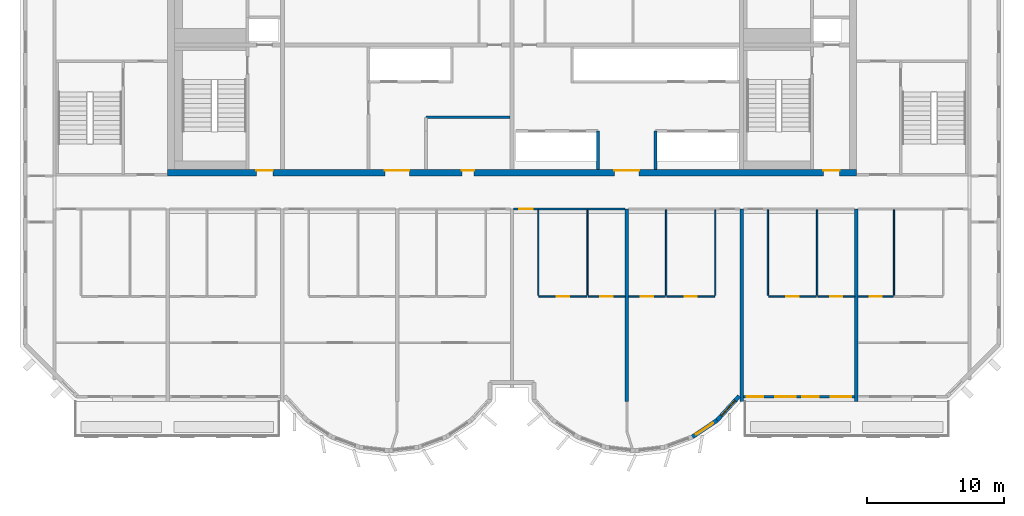
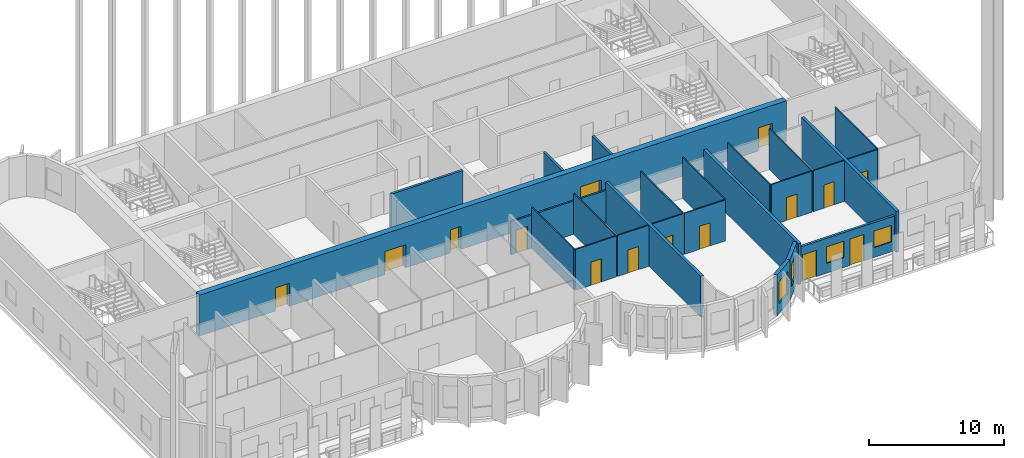
# One storey, part 5 of 13: 25 walls, 15 doors, 4 windows, 19 openings.
"""IFC4 building model written with IfcOpenShell, lengths in metres."""

from ifc_helpers import new_model, si_unit, direction, frame, frame_2d, origin, place, context, subcontext, project, spatial, rectangle, extrude, source, transform, mapped, material, layer, layer_set, type_object, element, fill, save


model = new_model("IFC4")

# Units and contexts
model_context = context("Model", 3, precision=1e-05, world=origin(), true_north=direction((0.0, 1.0)))
body_context = subcontext(model_context, "Body", "Model", "MODEL_VIEW")
ifc_project = project(units=[si_unit("LENGTHUNIT", "METRE"), si_unit("AREAUNIT", "SQUARE_METRE"), si_unit("VOLUMEUNIT", "CUBIC_METRE"), si_unit("PLANEANGLEUNIT", "RADIAN"), si_unit("MASSUNIT", "GRAM", prefix="KILO")], contexts=[model_context])

# Site, building, storey
site_placement = place(None, origin())
site = spatial("IfcSite", under=ifc_project, at=site_placement, CompositionType="ELEMENT")
building_placement = place(site_placement, origin())
building = spatial("IfcBuilding", under=site, at=building_placement, Name="Vanashikhar Sky Hotel", CompositionType="ELEMENT")
storey_placement = place(building_placement, frame((0.0, 0.0, 277.699951171875)))
storey = spatial("IfcBuildingStorey", under=building, at=storey_placement, Name="L66", CompositionType="ELEMENT", Elevation=277.699951171875)

# Wall, openings, doors
ifc_material_1 = material(Name="Concrete M50", Category="concrete")
ifc_layer_1 = layer(ifc_material_1, 0.5)
ifc_layer_set_1 = layer_set([ifc_layer_1], Name="RC core shell wall 500 Concrete M50")
wall_type_1 = type_object("IfcWallType", Name="RC core shell wall 500 Concrete M50", PredefinedType="SHEAR", material=ifc_layer_set_1)
shared_shape_1 = source(origin(), body_context, "Body", "SweptSolid", [
    extrude(rectangle(XDim=50.400146484375, YDim=0.5, at=frame_2d((25.2001953125, 0.0))), origin(), (0.0, 0.0, 1.0), 3.719970703125),
])
wall_1_placement = place(storey_placement, frame((25.199951171875, 22.25, 0.0), z_axis=(0.0, 0.0, 1.0), x_axis=(1.0, 0.0, 0.0)))
wall_1 = element("IfcWall", 1, at=wall_1_placement, inside=storey, type_object=wall_type_1, Name="KW-L66-KS", PredefinedType="SHEAR", context=body_context, shape_type="MappedRepresentation", body=[
    mapped(shared_shape_1, transform((0.0, 0.0, 0.0), scale=1.0)),
])
shared_shape_2 = source(origin(), body_context, "Body", "SweptSolid", [
    extrude(rectangle(XDim=1.800048828125, YDim=2.10009765625, at=frame_2d((0.89990234375, 1.050048828125))), frame((0.0, 0.260009765625, 0.0), z_axis=(0.0, -1.0, 0.0), x_axis=(1.0, 0.0, 0.0)), (0.0, 0.0, 1.0), 0.52001953125),
])
opening_1_placement = place(wall_1_placement, frame((15.89990234375, 0.0, 0.0)))
opening_1 = element("IfcOpeningElement", 2, at=opening_1_placement, cuts=wall_1, Name="Opening DC-3-A", PredefinedType="OPENING", context=body_context, shape_type="MappedRepresentation", body=[
    mapped(shared_shape_2, transform((0.0, 0.0, 0.0), scale=1.0)),
])
shared_shape_3 = source(origin(), body_context, "Body", "SweptSolid", [
    extrude(rectangle(XDim=0.89990234375, YDim=2.10009765625, at=frame_2d((0.449951171875, 1.050048828125))), frame((0.0, 0.260009765625, 0.0), z_axis=(0.0, -1.0, 0.0), x_axis=(1.0, 0.0, 0.0)), (0.0, 0.0, 1.0), 0.52001953125),
])
opening_2_placement = place(wall_1_placement, frame((21.52490234375, 0.0, 0.0)))
opening_2 = element("IfcOpeningElement", 3, at=opening_2_placement, cuts=wall_1, Name="Opening DC-4-A", PredefinedType="OPENING", context=body_context, shape_type="MappedRepresentation", body=[
    mapped(shared_shape_3, transform((0.0, 0.0, 0.0), scale=1.0)),
])
opening_3_placement = place(wall_1_placement, frame((32.699951171875, 0.0, 0.0)))
opening_3 = element("IfcOpeningElement", 4, at=opening_3_placement, cuts=wall_1, Name="Opening DC-3-A", PredefinedType="OPENING", context=body_context, shape_type="MappedRepresentation", body=[
    mapped(shared_shape_2, transform((0.0, 0.0, 0.0), scale=1.0)),
])
shared_shape_4 = source(origin(), body_context, "Body", "SweptSolid", [
    extrude(rectangle(XDim=1.199951171875, YDim=2.10009765625, at=frame_2d((0.60009765625, 1.050048828125))), frame((0.0, 0.260009765625, 0.0), z_axis=(0.0, -1.0, 0.0), x_axis=(1.0, 0.0, 0.0)), (0.0, 0.0, 1.0), 0.52001953125),
])
opening_4_placement = place(wall_1_placement, frame((6.5, 0.0, 0.0)))
opening_4 = element("IfcOpeningElement", 5, at=opening_4_placement, cuts=wall_1, Name="Opening DC-2", PredefinedType="OPENING", context=body_context, shape_type="MappedRepresentation", body=[
    mapped(shared_shape_4, transform((0.0, 0.0, 0.0), scale=1.0)),
])
opening_5_placement = place(wall_1_placement, frame((47.97509765625, 0.0, 0.0)))
opening_5 = element("IfcOpeningElement", 6, at=opening_5_placement, cuts=wall_1, Name="Opening DC-2", PredefinedType="OPENING", context=body_context, shape_type="MappedRepresentation", body=[
    mapped(shared_shape_4, transform((0.0, 0.0, 0.0), scale=1.0)),
])
ifc_material_2 = material(Name="Steel", Category="steel")
door_type_1 = type_object("IfcDoorType", Name="Firefighting lobby door 1200 FD120", OperationType="NOTDEFINED", PredefinedType="DOOR", material=ifc_material_2)
shared_shape_5 = source(origin(), body_context, "Body", "SweptSolid", [
    extrude(rectangle(XDim=1.199951171875, YDim=2.10009765625, at=frame_2d((0.60009765625, 1.050048828125))), frame((0.0, 0.1748046875, 0.0), z_axis=(0.0, -1.0, 0.0), x_axis=(1.0, 0.0, 0.0)), (0.0, 0.0, 1.0), 0.050048828125),
])
door_1_placement = place(opening_4_placement, origin())
door_1 = element("IfcDoor", 7, at=door_1_placement, inside=storey, type_object=door_type_1, Name="Firefighting lobby door 1200 FD120", OperationType="SINGLE_SWING_RIGHT", OverallHeight=2.10009765625, OverallWidth=1.199951171875, PredefinedType="DOOR", context=body_context, shape_type="MappedRepresentation", body=[
    mapped(shared_shape_5, transform((0.0, 0.0, 0.0), scale=1.0)),
])
fill(opening_4, door_1)
door_2_placement = place(opening_5_placement, origin())
door_2 = element("IfcDoor", 8, at=door_2_placement, inside=storey, type_object=door_type_1, Name="Firefighting lobby door 1200 FD120", OperationType="SINGLE_SWING_LEFT", OverallHeight=2.10009765625, OverallWidth=1.199951171875, PredefinedType="DOOR", context=body_context, shape_type="MappedRepresentation", body=[
    mapped(shared_shape_5, transform((0.0, 0.0, 0.0), scale=1.0)),
])
fill(opening_5, door_2)
door_type_2 = type_object("IfcDoorType", Name="Service door 900 FD60", OperationType="NOTDEFINED", PredefinedType="DOOR", material=ifc_material_2)
shared_shape_6 = source(origin(), body_context, "Body", "SweptSolid", [
    extrude(rectangle(XDim=0.89990234375, YDim=2.10009765625, at=frame_2d((0.449951171875, 1.050048828125))), frame((0.0, 0.1748046875, 0.0), z_axis=(0.0, -1.0, 0.0), x_axis=(1.0, 0.0, 0.0)), (0.0, 0.0, 1.0), 0.050048828125),
])
door_3_placement = place(opening_2_placement, origin())
door_3 = element("IfcDoor", 9, at=door_3_placement, inside=storey, type_object=door_type_2, Name="Service door 900 FD60", OperationType="SINGLE_SWING_RIGHT", OverallHeight=2.10009765625, OverallWidth=0.89990234375, PredefinedType="DOOR", context=body_context, shape_type="MappedRepresentation", body=[
    mapped(shared_shape_6, transform((0.0, 0.0, 0.0), scale=1.0)),
])
fill(opening_2, door_3)
ifc_material_3 = material(Name="Glass", Category="glass")
door_type_3 = type_object("IfcDoorType", Name="Lift lobby entrance door 1800 FD30S", OperationType="NOTDEFINED", PredefinedType="DOOR", material=ifc_material_3)
shared_shape_7 = source(origin(), body_context, "Body", "SweptSolid", [
    extrude(rectangle(XDim=1.800048828125, YDim=2.10009765625, at=frame_2d((0.89990234375, 1.050048828125))), frame((0.0, 0.1748046875, 0.0), z_axis=(0.0, -1.0, 0.0), x_axis=(1.0, 0.0, 0.0)), (0.0, 0.0, 1.0), 0.050048828125),
])
door_4_placement = place(opening_1_placement, origin())
door_4 = element("IfcDoor", 10, at=door_4_placement, inside=storey, type_object=door_type_3, Name="Lift lobby entrance door 1800 FD30S", OperationType="DOUBLE_DOOR_SINGLE_SWING", OverallHeight=2.10009765625, OverallWidth=1.800048828125, PredefinedType="DOOR", context=body_context, shape_type="MappedRepresentation", body=[
    mapped(shared_shape_7, transform((0.0, 0.0, 0.0), scale=1.0)),
])
fill(opening_1, door_4)
door_5_placement = place(opening_3_placement, origin())
door_5 = element("IfcDoor", 11, at=door_5_placement, inside=storey, type_object=door_type_3, Name="Lift lobby entrance door 1800 FD30S", OperationType="DOUBLE_DOOR_SINGLE_SWING", OverallHeight=2.10009765625, OverallWidth=1.800048828125, PredefinedType="DOOR", context=body_context, shape_type="MappedRepresentation", body=[
    mapped(shared_shape_7, transform((0.0, 0.0, 0.0), scale=1.0)),
])
fill(opening_3, door_5)

# Walls
ifc_layer_2 = layer(ifc_material_1, 0.25)
ifc_layer_set_2 = layer_set([ifc_layer_2], Name="RC shear wall 250 Concrete M50")
wall_type_2 = type_object("IfcWallType", Name="RC shear wall 250 Concrete M50", PredefinedType="SHEAR", material=ifc_layer_set_2)
shared_shape_8 = source(origin(), body_context, "Body", "SweptSolid", [
    extrude(rectangle(XDim=14.10009765625, YDim=0.25, at=frame_2d((7.050048828125, 0.0))), origin(), (0.0, 0.0, 1.0), 3.719970703125),
])
for number, where, z_axis, x_axis, name in (
    (12, (58.800048828125, 5.5, 0.0), (0.0, 0.0, 1.0), (0.0, 1.0, 0.0), "CW-L66-XW08-1"),
    (13, (67.199951171875, 5.5, 0.0), (0.0, 0.0, 1.0), (0.0, 1.0, 0.0), "CW-L66-XW09-1"),
    (14, (75.60009765625, 5.5, 0.0), (0.0, 0.0, 1.0), (0.0, 1.0, 0.0), "CW-L66-XW10-1"),
):
    element("IfcWall", number, at=place(storey_placement, frame(where, z_axis=z_axis, x_axis=x_axis)), inside=storey, type_object=wall_type_2, Name=name, PredefinedType="SHEAR", context=body_context, shape_type="MappedRepresentation", body=[
        mapped(shared_shape_8, transform((0.0, 0.0, 0.0), scale=1.0)),
    ])

# Wall, openings, windows, doors
ifc_layer_3 = layer(ifc_material_1, 0.199951171875)
ifc_layer_set_3 = layer_set([ifc_layer_3], Name="Front window wall 200")
wall_type_3 = type_object("IfcWallType", Name="Front window wall 200", PredefinedType="SOLIDWALL", material=ifc_layer_set_3)
shared_shape_9 = source(origin(), body_context, "Body", "SweptSolid", [
    extrude(rectangle(XDim=8.150146484375, YDim=0.199951171875, at=frame_2d((4.0751953125, 0.0))), origin(), (0.0, 0.0, 1.0), 3.170166015625),
])
wall_2_placement = place(storey_placement, frame((67.324951171875, 5.85009765625, 0.0), z_axis=(0.0, 0.0, 1.0), x_axis=(1.0, 0.0, 0.0)))
wall_2 = element("IfcWall", 15, at=wall_2_placement, inside=storey, type_object=wall_type_3, Name="Front window wall", PredefinedType="SOLIDWALL", context=body_context, shape_type="MappedRepresentation", body=[
    mapped(shared_shape_9, transform((0.0, 0.0, 0.0), scale=1.0)),
])
shared_shape_10 = source(origin(), body_context, "Body", "SweptSolid", [
    extrude(rectangle(XDim=1.199951171875, YDim=2.39990234375, at=frame_2d((0.60009765625, 1.199951171875))), frame((0.0, 0.10986328125, 0.0), z_axis=(0.0, -1.0, 0.0), x_axis=(1.0, 0.0, 0.0)), (0.0, 0.0, 1.0), 0.219970703125),
])
opening_6_placement = place(wall_2_placement, frame((0.25, 0.0, 0.0)))
opening_6 = element("IfcOpeningElement", 16, at=opening_6_placement, cuts=wall_2, Name="Opening BD-03", PredefinedType="OPENING", context=body_context, shape_type="MappedRepresentation", body=[
    mapped(shared_shape_10, transform((0.0, 0.0, 0.0), scale=1.0)),
])
shared_shape_11 = source(origin(), body_context, "Body", "SweptSolid", [
    extrude(rectangle(XDim=1.5, YDim=1.5, at=frame_2d((0.75, 0.75))), frame((0.0, 0.10986328125, 0.0), z_axis=(0.0, -1.0, 0.0), x_axis=(1.0, 0.0, 0.0)), (0.0, 0.0, 1.0), 0.219970703125),
])
opening_7_placement = place(wall_2_placement, frame((2.324951171875, 0.0, 0.89990234375)))
opening_7 = element("IfcOpeningElement", 17, at=opening_7_placement, cuts=wall_2, Name="Opening WN-1", PredefinedType="OPENING", context=body_context, shape_type="MappedRepresentation", body=[
    mapped(shared_shape_11, transform((0.0, 0.0, 0.0), scale=1.0)),
])
opening_8_placement = place(wall_2_placement, frame((4.324951171875, 0.0, 0.0)))
opening_8 = element("IfcOpeningElement", 18, at=opening_8_placement, cuts=wall_2, Name="Opening BD-04", PredefinedType="OPENING", context=body_context, shape_type="MappedRepresentation", body=[
    mapped(shared_shape_10, transform((0.0, 0.0, 0.0), scale=1.0)),
])
opening_9_placement = place(wall_2_placement, frame((6.39990234375, 0.0, 0.89990234375)))
opening_9 = element("IfcOpeningElement", 19, at=opening_9_placement, cuts=wall_2, Name="Opening WN-1", PredefinedType="OPENING", context=body_context, shape_type="MappedRepresentation", body=[
    mapped(shared_shape_11, transform((0.0, 0.0, 0.0), scale=1.0)),
])
window_type_1 = type_object("IfcWindowType", Name="Window 1500 x 1500", PartitioningType="SINGLE_PANEL", PredefinedType="WINDOW", material=ifc_material_3)
shared_shape_12 = source(origin(), body_context, "Body", "SweptSolid", [
    extrude(rectangle(XDim=1.5, YDim=1.5, at=frame_2d((0.75, 0.75))), frame((0.0, 0.030029296875, 0.0), z_axis=(0.0, -1.0, 0.0), x_axis=(1.0, 0.0, 0.0)), (0.0, 0.0, 1.0), 0.06005859375),
])
window_1_placement = place(opening_7_placement, origin())
window_1 = element("IfcWindow", 20, at=window_1_placement, inside=storey, type_object=window_type_1, Name="Window WN-1", OverallHeight=1.5, OverallWidth=1.5, PartitioningType="SINGLE_PANEL", PredefinedType="WINDOW", context=body_context, shape_type="MappedRepresentation", body=[
    mapped(shared_shape_12, transform((0.0, 0.0, 0.0), scale=1.0)),
])
fill(opening_7, window_1)
window_2_placement = place(opening_9_placement, origin())
window_2 = element("IfcWindow", 21, at=window_2_placement, inside=storey, type_object=window_type_1, Name="Window WN-1", OverallHeight=1.5, OverallWidth=1.5, PartitioningType="SINGLE_PANEL", PredefinedType="WINDOW", context=body_context, shape_type="MappedRepresentation", body=[
    mapped(shared_shape_12, transform((0.0, 0.0, 0.0), scale=1.0)),
])
fill(opening_9, window_2)
ifc_material_4 = material(Name="Aluminium", Category="aluminium")
door_type_4 = type_object("IfcDoorType", Name="Balcony sliding door 1200 x 2400", OperationType="NOTDEFINED", PredefinedType="DOOR", material=ifc_material_4)
shared_shape_13 = source(origin(), body_context, "Body", "SweptSolid", [
    extrude(rectangle(XDim=1.199951171875, YDim=2.39990234375, at=frame_2d((0.60009765625, 1.199951171875))), frame((0.0, 0.02490234375, 0.0), z_axis=(0.0, -1.0, 0.0), x_axis=(1.0, 0.0, 0.0)), (0.0, 0.0, 1.0), 0.050048828125),
])
door_6_placement = place(opening_6_placement, origin())
door_6 = element("IfcDoor", 22, at=door_6_placement, inside=storey, type_object=door_type_4, Name="Balcony sliding door", OperationType="SLIDING_TO_LEFT", OverallHeight=2.39990234375, OverallWidth=1.199951171875, PredefinedType="DOOR", context=body_context, shape_type="MappedRepresentation", body=[
    mapped(shared_shape_13, transform((0.0, 0.0, 0.0), scale=1.0)),
])
fill(opening_6, door_6)
door_7_placement = place(opening_8_placement, origin())
door_7 = element("IfcDoor", 23, at=door_7_placement, inside=storey, type_object=door_type_4, Name="Balcony sliding door", OperationType="SLIDING_TO_RIGHT", OverallHeight=2.39990234375, OverallWidth=1.199951171875, PredefinedType="DOOR", context=body_context, shape_type="MappedRepresentation", body=[
    mapped(shared_shape_13, transform((0.0, 0.0, 0.0), scale=1.0)),
])
fill(opening_8, door_7)

# Wall, opening, window
ifc_layer_4 = layer(ifc_material_1, 0.300048828125)
ifc_layer_set_4 = layer_set([ifc_layer_4], Name="Lobe wall 300")
wall_type_4 = type_object("IfcWallType", Name="Lobe wall 300", PredefinedType="SOLIDWALL", material=ifc_layer_set_4)
shared_shape_14 = source(origin(), body_context, "Body", "SweptSolid", [
    extrude(rectangle(XDim=2.398193359375, YDim=0.300048828125, at=frame_2d((1.19921875, 0.0))), origin(), (0.0, 0.0, 1.0), 3.719970703125),
])
wall_3_placement = place(storey_placement, frame((65.404296875, 4.13134765625, 0.0), z_axis=(0.0, 0.0, 1.0), x_axis=(0.675374189419, 0.737475222815, 0.0)))
wall_3 = element("IfcWall", 24, at=wall_3_placement, inside=storey, type_object=wall_type_4, Name="Lobe wall", PredefinedType="SOLIDWALL", context=body_context, shape_type="MappedRepresentation", body=[
    mapped(shared_shape_14, transform((0.0, 0.0, 0.0), scale=1.0)),
])
shared_shape_15 = source(origin(), body_context, "Body", "SweptSolid", [
    extrude(rectangle(XDim=1.5, YDim=2.0, at=frame_2d((0.75, 1.0))), frame((0.0, 0.16015625, 0.0), z_axis=(0.0, -1.0, 0.0), x_axis=(1.0, 0.0, 0.0)), (0.0, 0.0, 1.0), 0.320068359375),
])
opening_10_placement = place(wall_3_placement, frame((0.44921875, 0.0, 0.89990234375)))
opening_10 = element("IfcOpeningElement", 25, at=opening_10_placement, cuts=wall_3, Name="Opening WN-2", PredefinedType="OPENING", context=body_context, shape_type="MappedRepresentation", body=[
    mapped(shared_shape_15, transform((0.0, 0.0, 0.0), scale=1.0)),
])
window_type_2 = type_object("IfcWindowType", Name="Lobe window 1500 x 2000", PartitioningType="SINGLE_PANEL", PredefinedType="WINDOW", material=ifc_material_3)
shared_shape_16 = source(origin(), body_context, "Body", "SweptSolid", [
    extrude(rectangle(XDim=1.5, YDim=2.0, at=frame_2d((0.75, 1.0))), frame((0.0, 0.030029296875, 0.0), z_axis=(0.0, -1.0, 0.0), x_axis=(1.0, 0.0, 0.0)), (0.0, 0.0, 1.0), 0.06005859375),
])
window_3_placement = place(opening_10_placement, origin())
window_3 = element("IfcWindow", 26, at=window_3_placement, inside=storey, type_object=window_type_2, Name="Window WN-2", OverallHeight=2.0, OverallWidth=1.5, PartitioningType="SINGLE_PANEL", PredefinedType="WINDOW", context=body_context, shape_type="MappedRepresentation", body=[
    mapped(shared_shape_16, transform((0.0, 0.0, 0.0), scale=1.0)),
])
fill(opening_10, window_3)

shared_shape_17 = source(origin(), body_context, "Body", "SweptSolid", [
    extrude(rectangle(XDim=2.17578125, YDim=0.300048828125, at=frame_2d((1.087890625, 0.0))), origin(), (0.0, 0.0, 1.0), 3.719970703125),
])
wall_4_placement = place(storey_placement, frame((63.59912109375, 2.91650390625, 0.0), z_axis=(0.0, 0.0, 1.0), x_axis=(0.829625727223, 0.558319937607, 0.0)))
wall_4 = element("IfcWall", 27, at=wall_4_placement, inside=storey, type_object=wall_type_4, Name="Lobe wall", PredefinedType="SOLIDWALL", context=body_context, shape_type="MappedRepresentation", body=[
    mapped(shared_shape_17, transform((0.0, 0.0, 0.0), scale=1.0)),
])
opening_11_placement = place(wall_4_placement, frame((0.337890625, 0.0, 0.89990234375)))
opening_11 = element("IfcOpeningElement", 28, at=opening_11_placement, cuts=wall_4, Name="Opening WN-2", PredefinedType="OPENING", context=body_context, shape_type="MappedRepresentation", body=[
    mapped(shared_shape_15, transform((0.0, 0.0, 0.0), scale=1.0)),
])
window_4_placement = place(opening_11_placement, origin())
window_4 = element("IfcWindow", 29, at=window_4_placement, inside=storey, type_object=window_type_2, Name="Window WN-2", OverallHeight=2.0, OverallWidth=1.5, PartitioningType="SINGLE_PANEL", PredefinedType="WINDOW", context=body_context, shape_type="MappedRepresentation", body=[
    mapped(shared_shape_16, transform((0.0, 0.0, 0.0), scale=1.0)),
])
fill(opening_11, window_4)

# Walls
ifc_material_5 = material(Name="Concrete M40", Category="concrete")
ifc_layer_5 = layer(ifc_material_5, 0.199951171875)
ifc_layer_set_5 = layer_set([ifc_layer_5], Name="Shaft wall 200")
wall_type_5 = type_object("IfcWallType", Name="Shaft wall 200", PredefinedType="SOLIDWALL", material=ifc_layer_set_5)
shared_shape_18 = source(origin(), body_context, "Body", "SweptSolid", [
    extrude(rectangle(XDim=2.800048828125, YDim=0.199951171875, at=frame_2d((1.39990234375, 0.0))), origin(), (0.0, 0.0, 1.0), 3.719970703125),
])
for number, where, z_axis, x_axis, name in (
    (30, (60.89990234375, 22.5, 0.0), (0.0, 0.0, 1.0), (0.0, 1.0, 0.0), "Shaft wall 200"),
    (31, (56.699951171875, 22.5, 0.0), (0.0, 0.0, 1.0), (0.0, 1.0, 0.0), "Shaft wall 200"),
):
    element("IfcWall", number, at=place(storey_placement, frame(where, z_axis=z_axis, x_axis=x_axis)), inside=storey, type_object=wall_type_5, Name=name, PredefinedType="SOLIDWALL", context=body_context, shape_type="MappedRepresentation", body=[
        mapped(shared_shape_18, transform((0.0, 0.0, 0.0), scale=1.0)),
    ])
ifc_material_6 = material(Name="Gypsum board partition")
ifc_layer_6 = layer(ifc_material_6, 0.14990234375)
ifc_layer_set_6 = layer_set([ifc_layer_6], Name="Service partition 150")
wall_type_6 = type_object("IfcWallType", Name="Service partition 150", PredefinedType="PARTITIONING", material=ifc_layer_set_6)
shared_shape_19 = source(origin(), body_context, "Body", "SweptSolid", [
    extrude(rectangle(XDim=6.14990234375, YDim=0.199951171875, at=frame_2d((3.074951171875, 0.0))), origin(), (0.0, 0.0, 1.0), 3.719970703125),
])
wall_5_placement = place(storey_placement, frame((44.10009765625, 26.300048828125, 0.0), z_axis=(0.0, 0.0, 1.0), x_axis=(1.0, 0.0, 0.0)))
element("IfcWall", 32, at=wall_5_placement, inside=storey, type_object=wall_type_6, Name="Service partition 150", PredefinedType="PARTITIONING", context=body_context, shape_type="MappedRepresentation", body=[
    mapped(shared_shape_19, transform((0.0, 0.0, 0.0), scale=1.0)),
])
ifc_material_7 = material(Name="Gypsum plasterboard partition")
ifc_layer_7 = layer(ifc_material_7, 0.10009765625)
ifc_layer_set_7 = layer_set([ifc_layer_7], Name="Wet room partition 100")
wall_type_7 = type_object("IfcWallType", Name="Wet room partition 100", PredefinedType="PARTITIONING", material=ifc_layer_set_7)
shared_shape_20 = source(origin(), body_context, "Body", "SweptSolid", [
    extrude(rectangle(XDim=6.25, YDim=0.10009765625, at=frame_2d((3.125, 0.0))), origin(), (0.0, 0.0, 1.0), 3.719970703125),
])
for number, where, z_axis, x_axis, name in (
    (33, (52.324951171875, 13.27490234375, 0.0), (0.0, 0.0, 1.0), (0.0, 1.0, 0.0), "W-L66-PW025"),
    (34, (55.925048828125, 13.27490234375, 0.0), (0.0, 0.0, 1.0), (0.0, 1.0, 0.0), "W-L66-PW026"),
    (35, (65.27490234375, 13.27490234375, 0.0), (0.0, 0.0, 1.0), (0.0, 1.0, 0.0), "W-L66-PW030"),
    (36, (61.675048828125, 13.27490234375, 0.0), (0.0, 0.0, 1.0), (0.0, 1.0, 0.0), "W-L66-PW031"),
    (37, (69.125, 13.27490234375, 0.0), (0.0, 0.0, 1.0), (0.0, 1.0, 0.0), "W-L66-PW035"),
    (38, (72.72509765625, 13.27490234375, 0.0), (0.0, 0.0, 1.0), (0.0, 1.0, 0.0), "W-L66-PW036"),
    (39, (78.35009765625, 13.27490234375, 0.0), (0.0, 0.0, 1.0), (0.0, 1.0, 0.0), "W-L66-PW041"),
):
    element("IfcWall", number, at=place(storey_placement, frame(where, z_axis=z_axis, x_axis=x_axis)), inside=storey, type_object=wall_type_7, Name=name, PredefinedType="PARTITIONING", context=body_context, shape_type="MappedRepresentation", body=[
        mapped(shared_shape_20, transform((0.0, 0.0, 0.0), scale=1.0)),
    ])

# Wall, opening, door
shared_shape_21 = source(origin(), body_context, "Body", "SweptSolid", [
    extrude(rectangle(XDim=3.5, YDim=0.10009765625, at=frame_2d((1.75, 0.0))), origin(), (0.0, 0.0, 1.0), 3.719970703125),
])
wall_6_placement = place(storey_placement, frame((52.375, 13.199951171875, 0.0), z_axis=(0.0, 0.0, 1.0), x_axis=(1.0, 0.0, 0.0)))
wall_6 = element("IfcWall", 40, at=wall_6_placement, inside=storey, type_object=wall_type_7, Name="W-L66-PW027", PredefinedType="PARTITIONING", context=body_context, shape_type="MappedRepresentation", body=[
    mapped(shared_shape_21, transform((0.0, 0.0, 0.0), scale=1.0)),
])
shared_shape_22 = source(origin(), body_context, "Body", "SweptSolid", [
    extrude(rectangle(XDim=0.89990234375, YDim=2.10009765625, at=frame_2d((0.449951171875, 1.050048828125))), frame((0.0, 0.06005859375, 0.0), z_axis=(0.0, -1.0, 0.0), x_axis=(1.0, 0.0, 0.0)), (0.0, 0.0, 1.0), 0.1201171875),
])
opening_12_placement = place(wall_6_placement, frame((1.300048828125, 0.0, 0.0)))
opening_12 = element("IfcOpeningElement", 41, at=opening_12_placement, cuts=wall_6, Name="Opening D-02", PredefinedType="OPENING", context=body_context, shape_type="MappedRepresentation", body=[
    mapped(shared_shape_22, transform((0.0, 0.0, 0.0), scale=1.0)),
])
ifc_material_8 = material(Name="Timber door", Category="wood")
door_type_5 = type_object("IfcDoorType", Name="Internal door 900", OperationType="NOTDEFINED", PredefinedType="DOOR", material=ifc_material_8)
shared_shape_23 = source(origin(), body_context, "Body", "SweptSolid", [
    extrude(rectangle(XDim=0.89990234375, YDim=2.10009765625, at=frame_2d((0.449951171875, 1.050048828125))), frame((0.0, 0.02490234375, 0.0), z_axis=(0.0, -1.0, 0.0), x_axis=(1.0, 0.0, 0.0)), (0.0, 0.0, 1.0), 0.050048828125),
])
door_8_placement = place(opening_12_placement, origin())
door_8 = element("IfcDoor", 42, at=door_8_placement, inside=storey, type_object=door_type_5, Name="D-L66-017", OperationType="SINGLE_SWING_LEFT", OverallHeight=2.10009765625, OverallWidth=0.89990234375, PredefinedType="DOOR", context=body_context, shape_type="MappedRepresentation", body=[
    mapped(shared_shape_23, transform((0.0, 0.0, 0.0), scale=1.0)),
])
fill(opening_12, door_8)

wall_7_placement = place(storey_placement, frame((61.72509765625, 13.199951171875, 0.0), z_axis=(0.0, 0.0, 1.0), x_axis=(1.0, 0.0, 0.0)))
wall_7 = element("IfcWall", 43, at=wall_7_placement, inside=storey, type_object=wall_type_7, Name="W-L66-PW032", PredefinedType="PARTITIONING", context=body_context, shape_type="MappedRepresentation", body=[
    mapped(shared_shape_21, transform((0.0, 0.0, 0.0), scale=1.0)),
])
opening_13_placement = place(wall_7_placement, frame((1.300048828125, 0.0, 0.0)))
opening_13 = element("IfcOpeningElement", 44, at=opening_13_placement, cuts=wall_7, Name="Opening D-02", PredefinedType="OPENING", context=body_context, shape_type="MappedRepresentation", body=[
    mapped(shared_shape_22, transform((0.0, 0.0, 0.0), scale=1.0)),
])
door_9_placement = place(opening_13_placement, origin())
door_9 = element("IfcDoor", 45, at=door_9_placement, inside=storey, type_object=door_type_5, Name="D-L66-020", OperationType="SINGLE_SWING_RIGHT", OverallHeight=2.10009765625, OverallWidth=0.89990234375, PredefinedType="DOOR", context=body_context, shape_type="MappedRepresentation", body=[
    mapped(shared_shape_23, transform((0.0, 0.0, 0.0), scale=1.0)),
])
fill(opening_13, door_9)

wall_8_placement = place(storey_placement, frame((69.175048828125, 13.199951171875, 0.0), z_axis=(0.0, 0.0, 1.0), x_axis=(1.0, 0.0, 0.0)))
wall_8 = element("IfcWall", 46, at=wall_8_placement, inside=storey, type_object=wall_type_7, Name="W-L66-PW037", PredefinedType="PARTITIONING", context=body_context, shape_type="MappedRepresentation", body=[
    mapped(shared_shape_21, transform((0.0, 0.0, 0.0), scale=1.0)),
])
opening_14_placement = place(wall_8_placement, frame((1.300048828125, 0.0, 0.0)))
opening_14 = element("IfcOpeningElement", 47, at=opening_14_placement, cuts=wall_8, Name="Opening D-02", PredefinedType="OPENING", context=body_context, shape_type="MappedRepresentation", body=[
    mapped(shared_shape_22, transform((0.0, 0.0, 0.0), scale=1.0)),
])
door_10_placement = place(opening_14_placement, origin())
door_10 = element("IfcDoor", 48, at=door_10_placement, inside=storey, type_object=door_type_5, Name="D-L66-023", OperationType="SINGLE_SWING_LEFT", OverallHeight=2.10009765625, OverallWidth=0.89990234375, PredefinedType="DOOR", context=body_context, shape_type="MappedRepresentation", body=[
    mapped(shared_shape_23, transform((0.0, 0.0, 0.0), scale=1.0)),
])
fill(opening_14, door_10)

shared_shape_24 = source(origin(), body_context, "Body", "SweptSolid", [
    extrude(rectangle(XDim=2.574951171875, YDim=0.10009765625, at=frame_2d((1.28759765625, 0.0))), origin(), (0.0, 0.0, 1.0), 3.719970703125),
])
wall_9_placement = place(storey_placement, frame((75.72509765625, 13.199951171875, 0.0), z_axis=(0.0, 0.0, 1.0), x_axis=(1.0, 0.0, 0.0)))
wall_9 = element("IfcWall", 49, at=wall_9_placement, inside=storey, type_object=wall_type_7, Name="W-L66-PW043", PredefinedType="PARTITIONING", context=body_context, shape_type="MappedRepresentation", body=[
    mapped(shared_shape_24, transform((0.0, 0.0, 0.0), scale=1.0)),
])
opening_15_placement = place(wall_9_placement, frame((0.837890625, 0.0, 0.0)))
opening_15 = element("IfcOpeningElement", 50, at=opening_15_placement, cuts=wall_9, Name="Opening D-02", PredefinedType="OPENING", context=body_context, shape_type="MappedRepresentation", body=[
    mapped(shared_shape_22, transform((0.0, 0.0, 0.0), scale=1.0)),
])
door_11_placement = place(opening_15_placement, origin())
door_11 = element("IfcDoor", 51, at=door_11_placement, inside=storey, type_object=door_type_5, Name="D-L66-027", OperationType="SINGLE_SWING_RIGHT", OverallHeight=2.10009765625, OverallWidth=0.89990234375, PredefinedType="DOOR", context=body_context, shape_type="MappedRepresentation", body=[
    mapped(shared_shape_23, transform((0.0, 0.0, 0.0), scale=1.0)),
])
fill(opening_15, door_11)

shared_shape_25 = source(origin(), body_context, "Body", "SweptSolid", [
    extrude(rectangle(XDim=2.699951171875, YDim=0.10009765625, at=frame_2d((1.35009765625, 0.0))), origin(), (0.0, 0.0, 1.0), 3.719970703125),
])
wall_10_placement = place(storey_placement, frame((55.97509765625, 13.199951171875, 0.0), z_axis=(0.0, 0.0, 1.0), x_axis=(1.0, 0.0, 0.0)))
wall_10 = element("IfcWall", 52, at=wall_10_placement, inside=storey, type_object=wall_type_7, Name="W-L66-PW028", PredefinedType="PARTITIONING", context=body_context, shape_type="MappedRepresentation", body=[
    mapped(shared_shape_25, transform((0.0, 0.0, 0.0), scale=1.0)),
])
opening_16_placement = place(wall_10_placement, frame((0.89990234375, 0.0, 0.0)))
opening_16 = element("IfcOpeningElement", 53, at=opening_16_placement, cuts=wall_10, Name="Opening D-02", PredefinedType="OPENING", context=body_context, shape_type="MappedRepresentation", body=[
    mapped(shared_shape_22, transform((0.0, 0.0, 0.0), scale=1.0)),
])
door_12_placement = place(opening_16_placement, origin())
door_12 = element("IfcDoor", 54, at=door_12_placement, inside=storey, type_object=door_type_5, Name="D-L66-018", OperationType="SINGLE_SWING_LEFT", OverallHeight=2.10009765625, OverallWidth=0.89990234375, PredefinedType="DOOR", context=body_context, shape_type="MappedRepresentation", body=[
    mapped(shared_shape_23, transform((0.0, 0.0, 0.0), scale=1.0)),
])
fill(opening_16, door_12)

wall_11_placement = place(storey_placement, frame((58.925048828125, 13.199951171875, 0.0), z_axis=(0.0, 0.0, 1.0), x_axis=(1.0, 0.0, 0.0)))
wall_11 = element("IfcWall", 55, at=wall_11_placement, inside=storey, type_object=wall_type_7, Name="W-L66-PW033", PredefinedType="PARTITIONING", context=body_context, shape_type="MappedRepresentation", body=[
    mapped(shared_shape_25, transform((0.0, 0.0, 0.0), scale=1.0)),
])
opening_17_placement = place(wall_11_placement, frame((0.89990234375, 0.0, 0.0)))
opening_17 = element("IfcOpeningElement", 56, at=opening_17_placement, cuts=wall_11, Name="Opening D-02", PredefinedType="OPENING", context=body_context, shape_type="MappedRepresentation", body=[
    mapped(shared_shape_22, transform((0.0, 0.0, 0.0), scale=1.0)),
])
door_13_placement = place(opening_17_placement, origin())
door_13 = element("IfcDoor", 57, at=door_13_placement, inside=storey, type_object=door_type_5, Name="D-L66-021", OperationType="SINGLE_SWING_RIGHT", OverallHeight=2.10009765625, OverallWidth=0.89990234375, PredefinedType="DOOR", context=body_context, shape_type="MappedRepresentation", body=[
    mapped(shared_shape_23, transform((0.0, 0.0, 0.0), scale=1.0)),
])
fill(opening_17, door_13)

ifc_layer_8 = layer(ifc_material_7, 0.14990234375)
ifc_layer_set_8 = layer_set([ifc_layer_8], Name="Corridor and demising partition 150")
wall_type_8 = type_object("IfcWallType", Name="Corridor and demising partition 150", PredefinedType="PARTITIONING", material=ifc_layer_set_8)
shared_shape_26 = source(origin(), body_context, "Body", "SweptSolid", [
    extrude(rectangle(XDim=8.150146484375, YDim=0.14990234375, at=frame_2d((4.0751953125, 0.0))), origin(), (0.0, 0.0, 1.0), 3.02001953125),
])
wall_12_placement = place(storey_placement, frame((50.52490234375, 19.60009765625, 0.0), z_axis=(0.0, 0.0, 1.0), x_axis=(1.0, 0.0, 0.0)))
wall_12 = element("IfcWall", 58, at=wall_12_placement, inside=storey, type_object=wall_type_8, Name="W-L66-PW029", PredefinedType="PARTITIONING", context=body_context, shape_type="MappedRepresentation", body=[
    mapped(shared_shape_26, transform((0.0, 0.0, 0.0), scale=1.0)),
])
shared_shape_27 = source(origin(), body_context, "Body", "SweptSolid", [
    extrude(rectangle(XDim=1.0, YDim=2.10009765625, at=frame_2d((0.5, 1.050048828125))), frame((0.0, 0.0849609375, 0.0), z_axis=(0.0, -1.0, 0.0), x_axis=(1.0, 0.0, 0.0)), (0.0, 0.0, 1.0), 0.169921875),
])
opening_18_placement = place(wall_12_placement, frame((0.39990234375, 0.0, 0.0)))
opening_18 = element("IfcOpeningElement", 59, at=opening_18_placement, cuts=wall_12, Name="Opening D-01", PredefinedType="OPENING", context=body_context, shape_type="MappedRepresentation", body=[
    mapped(shared_shape_27, transform((0.0, 0.0, 0.0), scale=1.0)),
])
ifc_material_9 = material(Name="Timber fire door", Category="wood")
door_type_6 = type_object("IfcDoorType", Name="Guest entry door 1000 FD30S", OperationType="NOTDEFINED", PredefinedType="DOOR", material=ifc_material_9)
shared_shape_28 = source(origin(), body_context, "Body", "SweptSolid", [
    extrude(rectangle(XDim=1.0, YDim=2.10009765625, at=frame_2d((0.5, 1.050048828125))), frame((0.0, 0.02490234375, 0.0), z_axis=(0.0, -1.0, 0.0), x_axis=(1.0, 0.0, 0.0)), (0.0, 0.0, 1.0), 0.050048828125),
])
door_14_placement = place(opening_18_placement, origin())
door_14 = element("IfcDoor", 60, at=door_14_placement, inside=storey, type_object=door_type_6, Name="D-L66-019", OperationType="SINGLE_SWING_LEFT", OverallHeight=2.10009765625, OverallWidth=1.0, PredefinedType="DOOR", context=body_context, shape_type="MappedRepresentation", body=[
    mapped(shared_shape_28, transform((0.0, 0.0, 0.0), scale=1.0)),
])
fill(opening_18, door_14)

shared_shape_29 = source(origin(), body_context, "Body", "SweptSolid", [
    extrude(rectangle(XDim=2.7001953125, YDim=0.10009765625, at=frame_2d((1.35009765625, 0.0))), origin(), (0.0, 0.0, 1.0), 3.719970703125),
])
wall_13_placement = place(storey_placement, frame((72.77490234375, 13.199951171875, 0.0), z_axis=(0.0, 0.0, 1.0), x_axis=(1.0, 0.0, 0.0)))
wall_13 = element("IfcWall", 61, at=wall_13_placement, inside=storey, type_object=wall_type_7, Name="W-L66-PW038", PredefinedType="PARTITIONING", context=body_context, shape_type="MappedRepresentation", body=[
    mapped(shared_shape_29, transform((0.0, 0.0, 0.0), scale=1.0)),
])
opening_19_placement = place(wall_13_placement, frame((0.89990234375, 0.0, 0.0)))
opening_19 = element("IfcOpeningElement", 62, at=opening_19_placement, cuts=wall_13, Name="Opening D-02", PredefinedType="OPENING", context=body_context, shape_type="MappedRepresentation", body=[
    mapped(shared_shape_22, transform((0.0, 0.0, 0.0), scale=1.0)),
])
door_15_placement = place(opening_19_placement, origin())
door_15 = element("IfcDoor", 63, at=door_15_placement, inside=storey, type_object=door_type_5, Name="D-L66-024", OperationType="SINGLE_SWING_LEFT", OverallHeight=2.10009765625, OverallWidth=0.89990234375, PredefinedType="DOOR", context=body_context, shape_type="MappedRepresentation", body=[
    mapped(shared_shape_23, transform((0.0, 0.0, 0.0), scale=1.0)),
])
fill(opening_19, door_15)

save(model, "model.ifc")
